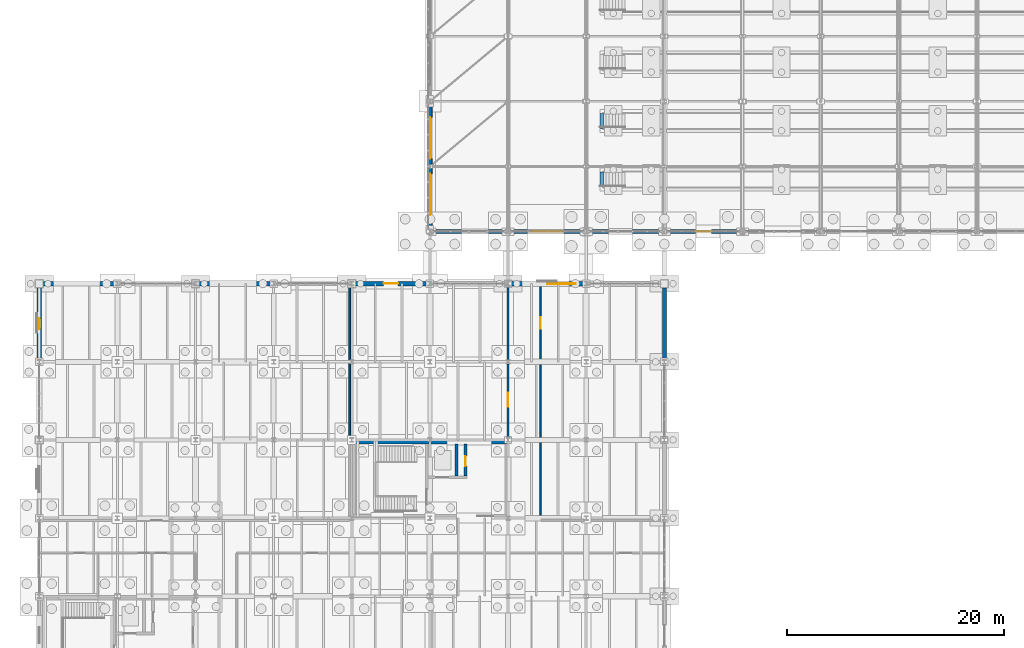
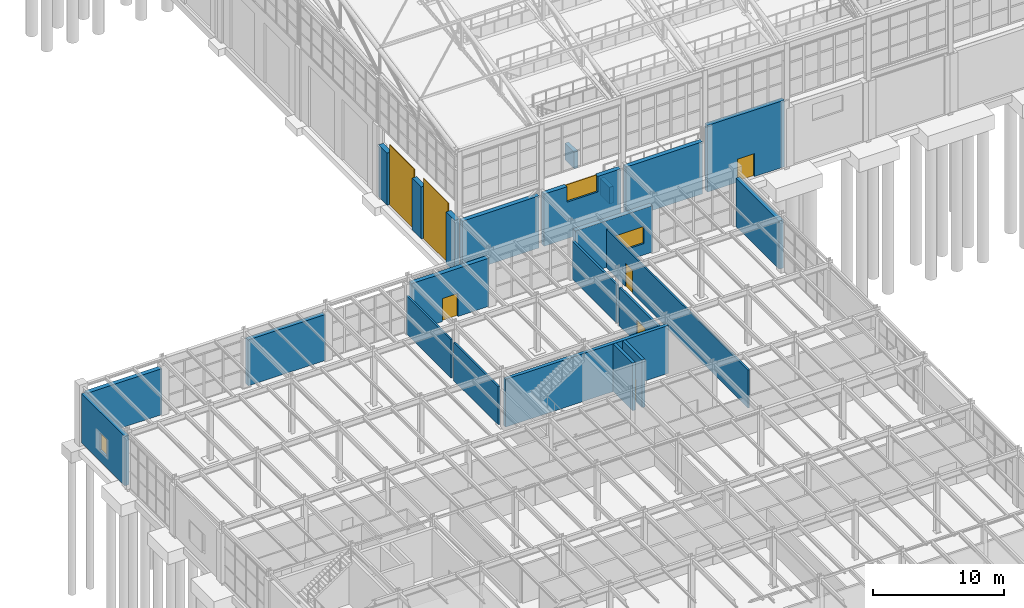
# One storey, part 267 of 293: 21 walls, 7 doors, 3 windows, 10 openings.
"""IFC4 building model written with IfcOpenShell, lengths in metres."""

from ifc_helpers import new_model, si_unit, direction, frame, frame_2d, origin, place, context, subcontext, project, spatial, rectangle, extrude, material, layer, layer_set, type_object, element, fill, save


model = new_model("IFC4")

# Units and contexts
model_context = context("Model", 3, precision=1e-05, world=origin(), true_north=direction((0.0, 1.0)))
body_context = subcontext(model_context, "Body", "Model", "MODEL_VIEW")
ifc_project = project(units=[si_unit("LENGTHUNIT", "METRE"), si_unit("AREAUNIT", "SQUARE_METRE"), si_unit("VOLUMEUNIT", "CUBIC_METRE"), si_unit("PLANEANGLEUNIT", "RADIAN"), si_unit("MASSUNIT", "GRAM", prefix="KILO")], contexts=[model_context])

# Site, building, storey
site_placement = place(None, origin())
site = spatial("IfcSite", under=ifc_project, at=site_placement, CompositionType="ELEMENT")
building_placement = place(site_placement, origin())
building = spatial("IfcBuilding", under=site, at=building_placement, Name="Kemerveld Promenade Tramway Depot", CompositionType="ELEMENT")
storey_placement = place(building_placement, origin())
storey = spatial("IfcBuildingStorey", under=building, at=storey_placement, Name="L00", CompositionType="ELEMENT", Elevation=0.0)

# Wall
ifc_material_1 = material(Name="Concrete C40/50", Category="concrete")
ifc_layer_1 = layer(ifc_material_1, 0.25)
ifc_layer_set_1 = layer_set([ifc_layer_1], Name="WL-CORE-250")
wall_type_1 = type_object("IfcWallType", Name="WL-CORE-250", PredefinedType="SHEAR", material=ifc_layer_set_1)
wall_1_placement = place(storey_placement, frame((38.449951171875, 61.485107421875, 0.0), z_axis=(0.0, 0.0, 1.0), x_axis=(0.0, 1.0, 0.0)))
element("IfcWall", 1, at=wall_1_placement, inside=storey, type_object=wall_type_1, Name="WL-C3-L00-LSHM", PredefinedType="SHEAR", context=body_context, shape_type="SweptSolid", body=[
    extrude(rectangle(XDim=2.96484375, YDim=0.25, at=frame_2d((1.482421875, 0.0))), origin(), (0.0, 0.0, 1.0), 4.449951171875),
])

# Wall, opening, door
wall_2_placement = place(storey_placement, frame((39.280029296875, 61.485107421875, 0.0), z_axis=(0.0, 0.0, 1.0), x_axis=(0.0, 1.0, 0.0)))
wall_2 = element("IfcWall", 2, at=wall_2_placement, inside=storey, type_object=wall_type_1, Name="WL-C3-L00-LSHE", PredefinedType="SHEAR", context=body_context, shape_type="SweptSolid", body=[
    extrude(rectangle(XDim=2.96484375, YDim=0.25, at=frame_2d((1.482421875, 0.0))), origin(), (0.0, 0.0, 1.0), 4.449951171875),
])
opening_1_placement = place(wall_2_placement, frame((0.89990234375, 0.0, 0.0)))
opening_1 = element("IfcOpeningElement", 3, at=opening_1_placement, cuts=wall_2, Name="Opening D-543", PredefinedType="OPENING", context=body_context, shape_type="SweptSolid", body=[
    extrude(rectangle(XDim=0.919921875, YDim=2.050048828125, at=frame_2d((0.4599609375, 1.02490234375))), frame((0.0, 0.135009765625, 0.0), z_axis=(0.0, -1.0, 0.0), x_axis=(1.0, 0.0, 0.0)), (0.0, 0.0, 1.0), 0.27001953125),
])
ifc_material_2 = material(Name="Steel riser shaft access fire door", Category="steel")
door_type_1 = type_object("IfcDoorType", Name="DR-RSR01", OperationType="NOTDEFINED", PredefinedType="DOOR", material=ifc_material_2)
door_1_placement = place(opening_1_placement, origin())
door_1 = element("IfcDoor", 4, at=door_1_placement, inside=storey, type_object=door_type_1, Name="DR-C3-L00-RISER", OperationType="SINGLE_SWING_LEFT", OverallHeight=2.050048828125, OverallWidth=0.919921875, PredefinedType="DOOR", context=body_context, shape_type="SweptSolid", body=[
    extrude(rectangle(XDim=0.919921875, YDim=2.050048828125, at=frame_2d((0.4599609375, 1.02490234375))), frame((0.0, 0.02490234375, 0.0), z_axis=(0.0, -1.0, 0.0), x_axis=(1.0, 0.0, 0.0)), (0.0, 0.0, 1.0), 0.050048828125),
])
fill(opening_1, door_1)

# Walls
ifc_layer_2 = layer(ifc_material_1, 0.300048828125)
ifc_layer_set_2 = layer_set([ifc_layer_2], Name="WL-CORE-300")
wall_type_2 = type_object("IfcWallType", Name="WL-CORE-300", PredefinedType="SHEAR", material=ifc_layer_set_2)
wall_3_placement = place(storey_placement, frame((28.85009765625, 64.60009765625, 0.0), z_axis=(0.0, 0.0, 1.0), x_axis=(1.0, 0.0, 0.0)))
element("IfcWall", 5, at=wall_3_placement, inside=storey, type_object=wall_type_2, Name="WL-C3-L00-N", PredefinedType="SHEAR", context=body_context, shape_type="SweptSolid", body=[
    extrude(rectangle(XDim=14.349853515625, YDim=0.300048828125, at=frame_2d((7.1748046875, 0.0))), origin(), (0.0, 0.0, 1.0), 4.449951171875),
])
ifc_material_3 = material(Name="Harare granite ashlar and clay brick cavity masonry", Category="masonry")
ifc_layer_3 = layer(ifc_material_3, 0.3798828125)
ifc_layer_set_3 = layer_set([ifc_layer_3], Name="WL-EXT-380")
wall_type_3 = type_object("IfcWallType", Name="WL-EXT-380", PredefinedType="SOLIDWALL", material=ifc_layer_set_3)
wall_4_placement = place(storey_placement, frame((42.976806640625, 84.0, 0.0), z_axis=(0.0, 0.0, 1.0), x_axis=(-1.0, 0.0, 0.0)))
element("IfcWall", 6, at=wall_4_placement, inside=storey, type_object=wall_type_3, Name="WL-V1-S-01", PredefinedType="SOLIDWALL", context=body_context, shape_type="SweptSolid", body=[
    extrude(rectangle(XDim=6.753662109375, YDim=0.3798828125, at=frame_2d((3.376953125, 0.0))), origin(), (0.0, 0.0, 1.0), 4.843505859375),
])

# Wall, opening, window
wall_5_placement = place(storey_placement, frame((50.1767578125, 84.0, 0.0), z_axis=(0.0, 0.0, 1.0), x_axis=(-1.0, 0.0, 0.0)))
wall_5 = element("IfcWall", 7, at=wall_5_placement, inside=storey, type_object=wall_type_3, Name="WL-V1-S-02", PredefinedType="SOLIDWALL", context=body_context, shape_type="SweptSolid", body=[
    extrude(rectangle(XDim=6.753662109375, YDim=0.3798828125, at=frame_2d((3.376953125, 0.0))), origin(), (0.0, 0.0, 1.0), 4.843505859375),
])
opening_2_placement = place(wall_5_placement, frame((2.027099609375, 0.0, 3.39990234375)))
opening_2 = element("IfcOpeningElement", 8, at=opening_2_placement, cuts=wall_5, Name="Opening W-101", PredefinedType="OPENING", context=body_context, shape_type="SweptSolid", body=[
    extrude(rectangle(XDim=2.699951171875, YDim=1.5, at=frame_2d((1.35009765625, 0.75))), frame((0.0, 0.199951171875, 0.0), z_axis=(0.0, -1.0, 0.0), x_axis=(1.0, 0.0, 0.0)), (0.0, 0.0, 1.0), 0.39990234375),
])
ifc_material_4 = material(Name="Bronze anodised aluminium and low-e glass", Category="aluminium")
window_type_1 = type_object("IfcWindowType", Name="WN-17", PartitioningType="SINGLE_PANEL", PredefinedType="WINDOW", material=ifc_material_4)
window_1_placement = place(opening_2_placement, origin())
window_1 = element("IfcWindow", 9, at=window_1_placement, inside=storey, type_object=window_type_1, Name="WN-V1-S-101", OverallHeight=1.5, OverallWidth=2.699951171875, PartitioningType="SINGLE_PANEL", PredefinedType="WINDOW", context=body_context, shape_type="SweptSolid", body=[
    extrude(rectangle(XDim=2.699951171875, YDim=1.5, at=frame_2d((1.35009765625, 0.75))), frame((0.0, 0.030029296875, 0.0), z_axis=(0.0, -1.0, 0.0), x_axis=(1.0, 0.0, 0.0)), (0.0, 0.0, 1.0), 0.06005859375),
])
fill(opening_2, window_1)

# Wall
wall_6_placement = place(storey_placement, frame((57.376708984375, 84.0, 0.0), z_axis=(0.0, 0.0, 1.0), x_axis=(-1.0, 0.0, 0.0)))
element("IfcWall", 10, at=wall_6_placement, inside=storey, type_object=wall_type_3, Name="WL-V1-S-03", PredefinedType="SOLIDWALL", context=body_context, shape_type="SweptSolid", body=[
    extrude(rectangle(XDim=6.75341796875, YDim=0.3798828125, at=frame_2d((3.376708984375, 0.0))), origin(), (0.0, 0.0, 1.0), 4.843505859375),
])

# Wall, opening, door
wall_7_placement = place(storey_placement, frame((64.576904296875, 84.0, 0.0), z_axis=(0.0, 0.0, 1.0), x_axis=(-1.0, 0.0, 0.0)))
wall_7 = element("IfcWall", 11, at=wall_7_placement, inside=storey, type_object=wall_type_3, Name="WL-V1-S-04", PredefinedType="SOLIDWALL", context=body_context, shape_type="SweptSolid", body=[
    extrude(rectangle(XDim=6.753662109375, YDim=0.3798828125, at=frame_2d((3.376953125, 0.0))), origin(), (0.0, 0.0, 1.0), 6.199951171875),
])
opening_3_placement = place(wall_7_placement, frame((2.626953125, 0.0, 0.0)))
opening_3 = element("IfcOpeningElement", 12, at=opening_3_placement, cuts=wall_7, Name="Opening D-101", PredefinedType="OPENING", context=body_context, shape_type="SweptSolid", body=[
    extrude(rectangle(XDim=1.5, YDim=2.14990234375, at=frame_2d((0.75, 1.074951171875))), frame((0.0, 0.199951171875, 0.0), z_axis=(0.0, -1.0, 0.0), x_axis=(1.0, 0.0, 0.0)), (0.0, 0.0, 1.0), 0.39990234375),
])
ifc_material_5 = material(Name="Galvanised painted steel fire-exit door", Category="steel")
door_type_2 = type_object("IfcDoorType", Name="DR-EX04", OperationType="NOTDEFINED", PredefinedType="DOOR", material=ifc_material_5)
door_2_placement = place(opening_3_placement, origin())
door_2 = element("IfcDoor", 13, at=door_2_placement, inside=storey, type_object=door_type_2, Name="EX-SHED-04", OperationType="SINGLE_SWING_LEFT", OverallHeight=2.14990234375, OverallWidth=1.5, PredefinedType="DOOR", context=body_context, shape_type="SweptSolid", body=[
    extrude(rectangle(XDim=1.5, YDim=2.14990234375, at=frame_2d((0.75, 1.074951171875))), frame((0.0, 0.02490234375, 0.0), z_axis=(0.0, -1.0, 0.0), x_axis=(1.0, 0.0, 0.0)), (0.0, 0.0, 1.0), 0.050048828125),
])
fill(opening_3, door_2)

# Wall, opening, window
wall_8_placement = place(storey_placement, frame((0.0, 72.206298828125, 0.0), z_axis=(0.0, 0.0, 1.0), x_axis=(0.0, 1.0, 0.0)))
wall_8 = element("IfcWall", 14, at=wall_8_placement, inside=storey, type_object=wall_type_3, Name="WL-L00-V5W-11", PredefinedType="SOLIDWALL", context=body_context, shape_type="SweptSolid", body=[
    extrude(rectangle(XDim=6.5986328125, YDim=0.3798828125, at=frame_2d((3.29931640625, 0.0))), origin(), (0.0, 0.0, 1.0), 4.593505859375),
])
opening_4_placement = place(wall_8_placement, frame((2.799072265625, 0.0, 1.050048828125)))
opening_4 = element("IfcOpeningElement", 15, at=opening_4_placement, cuts=wall_8, Name="Opening W-108", PredefinedType="OPENING", context=body_context, shape_type="SweptSolid", body=[
    extrude(rectangle(XDim=1.0, YDim=1.60009765625, at=frame_2d((0.5, 0.800048828125))), frame((0.0, 0.199951171875, 0.0), z_axis=(0.0, -1.0, 0.0), x_axis=(1.0, 0.0, 0.0)), (0.0, 0.0, 1.0), 0.39990234375),
])
window_type_2 = type_object("IfcWindowType", Name="WN-20", PartitioningType="SINGLE_PANEL", PredefinedType="WINDOW", material=ifc_material_4)
window_2_placement = place(opening_4_placement, origin())
window_2 = element("IfcWindow", 16, at=window_2_placement, inside=storey, type_object=window_type_2, Name="WN-L00-V5W-11", OverallHeight=1.60009765625, OverallWidth=1.0, PartitioningType="SINGLE_PANEL", PredefinedType="WINDOW", context=body_context, shape_type="SweptSolid", body=[
    extrude(rectangle(XDim=1.0, YDim=1.60009765625, at=frame_2d((0.5, 0.800048828125))), frame((0.0, 0.030029296875, 0.0), z_axis=(0.0, -1.0, 0.0), x_axis=(1.0, 0.0, 0.0)), (0.0, 0.0, 1.0), 0.06005859375),
])
fill(opening_4, window_2)

# Walls
wall_9_placement = place(storey_placement, frame((0.39501953125, 79.199951171875, 0.0), z_axis=(0.0, 0.0, 1.0), x_axis=(1.0, 0.0, 0.0)))
element("IfcWall", 17, at=wall_9_placement, inside=storey, type_object=wall_type_3, Name="WL-L00-V5N-01", PredefinedType="SOLIDWALL", context=body_context, shape_type="SweptSolid", body=[
    extrude(rectangle(XDim=6.5986328125, YDim=0.3798828125, at=frame_2d((3.29931640625, 0.0))), origin(), (0.0, 0.0, 1.0), 4.279296875),
])
wall_10_placement = place(storey_placement, frame((14.606201171875, 79.199951171875, 0.0), z_axis=(0.0, 0.0, 1.0), x_axis=(1.0, 0.0, 0.0)))
element("IfcWall", 18, at=wall_10_placement, inside=storey, type_object=wall_type_3, Name="WL-L00-V5N-03", PredefinedType="SOLIDWALL", context=body_context, shape_type="SweptSolid", body=[
    extrude(rectangle(XDim=6.78759765625, YDim=0.3798828125, at=frame_2d((3.393798828125, 0.0))), origin(), (0.0, 0.0, 1.0), 4.279296875),
])

# Wall, opening, door
wall_11_placement = place(storey_placement, frame((29.00634765625, 79.199951171875, 0.0), z_axis=(0.0, 0.0, 1.0), x_axis=(1.0, 0.0, 0.0)))
wall_11 = element("IfcWall", 19, at=wall_11_placement, inside=storey, type_object=wall_type_3, Name="WL-L00-V5N-05", PredefinedType="SOLIDWALL", context=body_context, shape_type="SweptSolid", body=[
    extrude(rectangle(XDim=6.787353515625, YDim=0.3798828125, at=frame_2d((3.3935546875, 0.0))), origin(), (0.0, 0.0, 1.0), 4.47998046875),
])
opening_5_placement = place(wall_11_placement, frame((2.718994140625, 0.0, 0.0)))
opening_5 = element("IfcOpeningElement", 20, at=opening_5_placement, cuts=wall_11, Name="Opening D-126", PredefinedType="OPENING", context=body_context, shape_type="SweptSolid", body=[
    extrude(rectangle(XDim=1.35009765625, YDim=2.14990234375, at=frame_2d((0.675048828125, 1.074951171875))), frame((0.0, 0.199951171875, 0.0), z_axis=(0.0, -1.0, 0.0), x_axis=(1.0, 0.0, 0.0)), (0.0, 0.0, 1.0), 0.39990234375),
])
door_type_3 = type_object("IfcDoorType", Name="DR-EX05", OperationType="NOTDEFINED", PredefinedType="DOOR", material=ifc_material_5)
door_3_placement = place(opening_5_placement, origin())
door_3 = element("IfcDoor", 21, at=door_3_placement, inside=storey, type_object=door_type_3, Name="EX-03", OperationType="SINGLE_SWING_LEFT", OverallHeight=2.14990234375, OverallWidth=1.35009765625, PredefinedType="DOOR", context=body_context, shape_type="SweptSolid", body=[
    extrude(rectangle(XDim=1.35009765625, YDim=2.14990234375, at=frame_2d((0.675048828125, 1.074951171875))), frame((0.0, 0.02490234375, 0.0), z_axis=(0.0, -1.0, 0.0), x_axis=(1.0, 0.0, 0.0)), (0.0, 0.0, 1.0), 0.050048828125),
])
fill(opening_5, door_3)

# Wall, opening, window
wall_12_placement = place(storey_placement, frame((43.40625, 79.199951171875, 0.0), z_axis=(0.0, 0.0, 1.0), x_axis=(1.0, 0.0, 0.0)))
wall_12 = element("IfcWall", 22, at=wall_12_placement, inside=storey, type_object=wall_type_3, Name="WL-L00-V5N-07", PredefinedType="SOLIDWALL", context=body_context, shape_type="SweptSolid", body=[
    extrude(rectangle(XDim=6.787353515625, YDim=0.3798828125, at=frame_2d((3.3935546875, 0.0))), origin(), (0.0, 0.0, 1.0), 4.330078125),
])
opening_6_placement = place(wall_12_placement, frame((3.39111328125, 0.0, 1.050048828125)))
opening_6 = element("IfcOpeningElement", 23, at=opening_6_placement, cuts=wall_12, Name="Opening W-109", PredefinedType="OPENING", context=body_context, shape_type="SweptSolid", body=[
    extrude(rectangle(XDim=2.64990234375, YDim=1.60009765625, at=frame_2d((1.324951171875, 0.800048828125))), frame((0.0, 0.199951171875, 0.0), z_axis=(0.0, -1.0, 0.0), x_axis=(1.0, 0.0, 0.0)), (0.0, 0.0, 1.0), 0.39990234375),
])
window_type_3 = type_object("IfcWindowType", Name="WN-40", PartitioningType="SINGLE_PANEL", PredefinedType="WINDOW", material=ifc_material_4)
window_3_placement = place(opening_6_placement, origin())
window_3 = element("IfcWindow", 24, at=window_3_placement, inside=storey, type_object=window_type_3, Name="WN-L00-V5N-07", OverallHeight=1.60009765625, OverallWidth=2.64990234375, PartitioningType="SINGLE_PANEL", PredefinedType="WINDOW", context=body_context, shape_type="SweptSolid", body=[
    extrude(rectangle(XDim=2.64990234375, YDim=1.60009765625, at=frame_2d((1.324951171875, 0.800048828125))), frame((0.0, 0.030029296875, 0.0), z_axis=(0.0, -1.0, 0.0), x_axis=(1.0, 0.0, 0.0)), (0.0, 0.0, 1.0), 0.06005859375),
])
fill(opening_6, window_3)

# Wall
wall_13_placement = place(storey_placement, frame((57.60009765625, 78.804931640625, 0.0), z_axis=(0.0, 0.0, 1.0), x_axis=(0.0, -1.0, 0.0)))
element("IfcWall", 25, at=wall_13_placement, inside=storey, type_object=wall_type_3, Name="WL-L00-V5E-01", PredefinedType="SOLIDWALL", context=body_context, shape_type="SweptSolid", body=[
    extrude(rectangle(XDim=6.5986328125, YDim=0.3798828125, at=frame_2d((3.29931640625, 0.0))), origin(), (0.0, 0.0, 1.0), 4.47998046875),
])

# Wall, openings, doors
ifc_layer_4 = layer(ifc_material_3, 0.419921875)
ifc_layer_set_4 = layer_set([ifc_layer_4], Name="WL-EXT-420")
wall_type_4 = type_object("IfcWallType", Name="WL-EXT-420", PredefinedType="SOLIDWALL", material=ifc_layer_set_4)
wall_14_placement = place(storey_placement, frame((36.0, 84.22314453125, 0.0), z_axis=(0.0, 0.0, 1.0), x_axis=(0.0, 1.0, 0.0)))
wall_14 = element("IfcWall", 26, at=wall_14_placement, inside=storey, type_object=wall_type_4, Name="WL-V1-W-01", PredefinedType="SOLIDWALL", context=body_context, shape_type="SweptSolid", body=[
    extrude(rectangle(XDim=11.59326171875, YDim=0.419921875, at=frame_2d((5.796630859375, 0.0))), origin(), (0.0, 0.0, 1.0), 4.843505859375),
])
opening_7_placement = place(wall_14_placement, frame((1.300048828125, 0.0, 0.0)))
opening_7 = element("IfcOpeningElement", 27, at=opening_7_placement, cuts=wall_14, Name="Opening G-103", PredefinedType="OPENING", context=body_context, shape_type="SweptSolid", body=[
    extrude(rectangle(XDim=3.800048828125, YDim=5.60009765625, at=frame_2d((1.89990234375, 2.800048828125))), frame((0.0, 0.219970703125, 0.0), z_axis=(0.0, -1.0, 0.0), x_axis=(1.0, 0.0, 0.0)), (0.0, 0.0, 1.0), 0.43994140625),
])
opening_8_placement = place(wall_14_placement, frame((6.492919921875, 0.0, 0.0)))
opening_8 = element("IfcOpeningElement", 28, at=opening_8_placement, cuts=wall_14, Name="Opening G-104", PredefinedType="OPENING", context=body_context, shape_type="SweptSolid", body=[
    extrude(rectangle(XDim=3.800048828125, YDim=5.60009765625, at=frame_2d((1.89990234375, 2.800048828125))), frame((0.0, 0.219970703125, 0.0), z_axis=(0.0, -1.0, 0.0), x_axis=(1.0, 0.0, 0.0)), (0.0, 0.0, 1.0), 0.43994140625),
])
ifc_material_6 = material(Name="Insulated powder-coated steel bi-folding tram gate", Category="steel")
door_type_4 = type_object("IfcDoorType", Name="GT-TRAM1", OperationType="FOLDING_TO_LEFT", PredefinedType="GATE", material=ifc_material_6)
door_4_placement = place(opening_7_placement, origin())
door_4 = element("IfcDoor", 29, at=door_4_placement, inside=storey, type_object=door_type_4, Name="GT-V1-W-1-1", OperationType="FOLDING_TO_LEFT", OverallHeight=5.60009765625, OverallWidth=3.800048828125, PredefinedType="GATE", context=body_context, shape_type="SweptSolid", body=[
    extrude(rectangle(XDim=3.800048828125, YDim=5.60009765625, at=frame_2d((1.89990234375, 2.800048828125))), frame((0.0, 0.02490234375, 0.0), z_axis=(0.0, -1.0, 0.0), x_axis=(1.0, 0.0, 0.0)), (0.0, 0.0, 1.0), 0.050048828125),
])
fill(opening_7, door_4)
door_5_placement = place(opening_8_placement, origin())
door_5 = element("IfcDoor", 30, at=door_5_placement, inside=storey, type_object=door_type_4, Name="GT-V1-W-1-2", OperationType="FOLDING_TO_LEFT", OverallHeight=5.60009765625, OverallWidth=3.800048828125, PredefinedType="GATE", context=body_context, shape_type="SweptSolid", body=[
    extrude(rectangle(XDim=3.800048828125, YDim=5.60009765625, at=frame_2d((1.89990234375, 2.800048828125))), frame((0.0, 0.02490234375, 0.0), z_axis=(0.0, -1.0, 0.0), x_axis=(1.0, 0.0, 0.0)), (0.0, 0.0, 1.0), 0.050048828125),
])
fill(opening_8, door_5)

# Walls
ifc_layer_5 = layer(ifc_material_1, 0.35009765625)
ifc_layer_set_5 = layer_set([ifc_layer_5], Name="WL-PIT350")
wall_type_5 = type_object("IfcWallType", Name="WL-PIT350", PredefinedType="USERDEFINED", material=ifc_layer_set_5)
for number, where, z_axis, x_axis, name in (
    (31, (51.824951171875, 88.10009765625, -1.550048828125), (0.0, 0.0, 1.0), (0.0, 1.0, 0.0), "WL-PIT-01-W"),
    (32, (51.824951171875, 93.5, -1.550048828125), (0.0, 0.0, 1.0), (0.0, 1.0, 0.0), "WL-PIT-02-W"),
):
    element("IfcWall", number, at=place(storey_placement, frame(where, z_axis=z_axis, x_axis=x_axis)), inside=storey, type_object=wall_type_5, Name=name, ObjectType="RETAINING_WALL", PredefinedType="USERDEFINED", context=body_context, shape_type="SweptSolid", body=[
        extrude(rectangle(XDim=1.39990234375, YDim=0.35009765625, at=frame_2d((0.699951171875, 0.0))), origin(), (0.0, 0.0, 1.0), 1.550048828125),
    ])

# Wall, opening, door
ifc_material_7 = material(Name="Fire-rated gypsum stud partition")
ifc_layer_6 = layer(ifc_material_7, 0.14501953125)
ifc_layer_set_6 = layer_set([ifc_layer_6], Name="WL-PRT-145")
wall_type_6 = type_object("IfcWallType", Name="WL-PRT-145", PredefinedType="PARTITIONING", material=ifc_layer_set_6)
wall_15_placement = place(storey_placement, frame((46.199951171875, 57.39990234375, 0.0), z_axis=(0.0, 0.0, 1.0), x_axis=(0.0, 1.0, 0.0)))
wall_15 = element("IfcWall", 33, at=wall_15_placement, inside=storey, type_object=wall_type_6, Name="WL-PRT-RM-L00-V5-CYC", PredefinedType="PARTITIONING", context=body_context, shape_type="SweptSolid", body=[
    extrude(rectangle(XDim=21.610107421875, YDim=0.14501953125, at=frame_2d((10.80517578125, 0.0))), origin(), (0.0, 0.0, 1.0), 3.550048828125),
])
opening_9_placement = place(wall_15_placement, frame((17.6279296875, 0.0, 0.0)))
opening_9 = element("IfcOpeningElement", 34, at=opening_9_placement, cuts=wall_15, Name="Opening D-624", PredefinedType="OPENING", context=body_context, shape_type="SweptSolid", body=[
    extrude(rectangle(XDim=1.080078125, YDim=2.14990234375, at=frame_2d((0.5400390625, 1.074951171875))), frame((0.0, 0.08251953125, 0.0), z_axis=(0.0, -1.0, 0.0), x_axis=(1.0, 0.0, 0.0)), (0.0, 0.0, 1.0), 0.1650390625),
])
ifc_material_8 = material(Name="Glazed seminar door")
door_type_5 = type_object("IfcDoorType", Name="DR-INT11", OperationType="NOTDEFINED", PredefinedType="DOOR", material=ifc_material_8)
door_6_placement = place(opening_9_placement, origin())
door_6 = element("IfcDoor", 35, at=door_6_placement, inside=storey, type_object=door_type_5, Name="DR-RM-RM-L00-V5-CYC", OperationType="SINGLE_SWING_RIGHT", OverallHeight=2.14990234375, OverallWidth=1.080078125, PredefinedType="DOOR", context=body_context, shape_type="SweptSolid", body=[
    extrude(rectangle(XDim=1.080078125, YDim=2.14990234375, at=frame_2d((0.5400390625, 1.074951171875))), frame((0.0, 0.02490234375, 0.0), z_axis=(0.0, -1.0, 0.0), x_axis=(1.0, 0.0, 0.0)), (0.0, 0.0, 1.0), 0.050048828125),
])
fill(opening_9, door_6)

# Walls
ifc_material_9 = material(Name="Acoustic twin-stud gypsum partition")
ifc_layer_7 = layer(ifc_material_9, 0.159912109375)
ifc_layer_set_7 = layer_set([ifc_layer_7], Name="WL-PRT-160")
wall_type_7 = type_object("IfcWallType", Name="WL-PRT-160", PredefinedType="PARTITIONING", material=ifc_layer_set_7)
wall_16_placement = place(storey_placement, frame((28.60009765625, 64.986083984375, 0.0), z_axis=(0.0, 0.0, 1.0), x_axis=(0.0, 1.0, 0.0)))
element("IfcWall", 36, at=wall_16_placement, inside=storey, type_object=wall_type_7, Name="WL-DIV-L00-054", PredefinedType="PARTITIONING", context=body_context, shape_type="SweptSolid", body=[
    extrude(rectangle(XDim=6.827880859375, YDim=0.159912109375, at=frame_2d((3.4140625, 0.0))), origin(), (0.0, 0.0, 1.0), 3.550048828125),
])
wall_17_placement = place(storey_placement, frame((28.60009765625, 72.18603515625, 0.0), z_axis=(0.0, 0.0, 1.0), x_axis=(0.0, 1.0, 0.0)))
element("IfcWall", 37, at=wall_17_placement, inside=storey, type_object=wall_type_7, Name="WL-DIV-L00-055", PredefinedType="PARTITIONING", context=body_context, shape_type="SweptSolid", body=[
    extrude(rectangle(XDim=6.823974609375, YDim=0.159912109375, at=frame_2d((3.412109375, 0.0))), origin(), (0.0, 0.0, 1.0), 3.550048828125),
])

# Wall, opening, door
ifc_material_10 = material(Name="Plant and substation fire partition")
ifc_layer_8 = layer(ifc_material_10, 0.18994140625)
ifc_layer_set_8 = layer_set([ifc_layer_8], Name="WL-PRT-190")
wall_type_8 = type_object("IfcWallType", Name="WL-PRT-190", PredefinedType="PARTITIONING", material=ifc_layer_set_8)
wall_18_placement = place(storey_placement, frame((43.199951171875, 64.986083984375, 0.0), z_axis=(0.0, 0.0, 1.0), x_axis=(0.0, 1.0, 0.0)))
wall_18 = element("IfcWall", 38, at=wall_18_placement, inside=storey, type_object=wall_type_8, Name="WL-PRT-RM-L00-V5-MEP", PredefinedType="PARTITIONING", context=body_context, shape_type="SweptSolid", body=[
    extrude(rectangle(XDim=6.827880859375, YDim=0.18994140625, at=frame_2d((3.4140625, 0.0))), origin(), (0.0, 0.0, 1.0), 3.550048828125),
])
opening_10_placement = place(wall_18_placement, frame((2.89599609375, 0.0, 0.0)))
opening_10 = element("IfcOpeningElement", 39, at=opening_10_placement, cuts=wall_18, Name="Opening D-623", PredefinedType="OPENING", context=body_context, shape_type="SweptSolid", body=[
    extrude(rectangle(XDim=1.25, YDim=2.14990234375, at=frame_2d((0.625, 1.074951171875))), frame((0.0, 0.10498046875, 0.0), z_axis=(0.0, -1.0, 0.0), x_axis=(1.0, 0.0, 0.0)), (0.0, 0.0, 1.0), 0.2099609375),
])
ifc_material_11 = material(Name="Steel plant room fire door", Category="steel")
door_type_6 = type_object("IfcDoorType", Name="DR-FD60C", OperationType="NOTDEFINED", PredefinedType="DOOR", material=ifc_material_11)
door_7_placement = place(opening_10_placement, origin())
door_7 = element("IfcDoor", 40, at=door_7_placement, inside=storey, type_object=door_type_6, Name="DR-RM-RM-L00-V5-MEP", OperationType="SINGLE_SWING_LEFT", OverallHeight=2.14990234375, OverallWidth=1.25, PredefinedType="DOOR", context=body_context, shape_type="SweptSolid", body=[
    extrude(rectangle(XDim=1.25, YDim=2.14990234375, at=frame_2d((0.625, 1.074951171875))), frame((0.0, 0.02490234375, 0.0), z_axis=(0.0, -1.0, 0.0), x_axis=(1.0, 0.0, 0.0)), (0.0, 0.0, 1.0), 0.050048828125),
])
fill(opening_10, door_7)

# Wall
wall_19_placement = place(storey_placement, frame((43.199951171875, 72.18603515625, 0.0), z_axis=(0.0, 0.0, 1.0), x_axis=(0.0, 1.0, 0.0)))
element("IfcWall", 41, at=wall_19_placement, inside=storey, type_object=wall_type_8, Name="WL-PRT-RM-L00-V5-MEP-S2", PredefinedType="PARTITIONING", context=body_context, shape_type="SweptSolid", body=[
    extrude(rectangle(XDim=6.823974609375, YDim=0.18994140625, at=frame_2d((3.412109375, 0.0))), origin(), (0.0, 0.0, 1.0), 3.550048828125),
])

save(model, "model.ifc")
